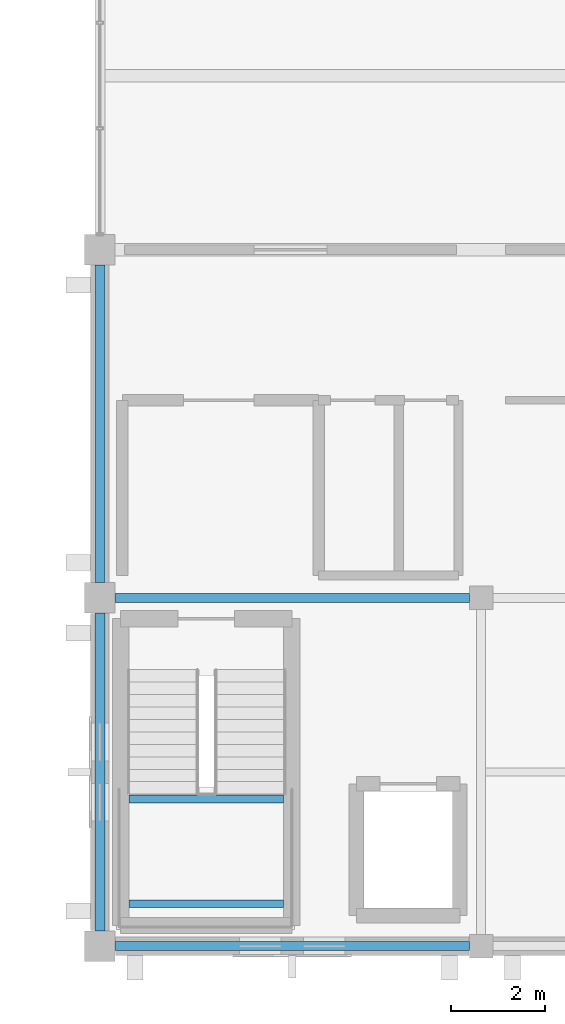
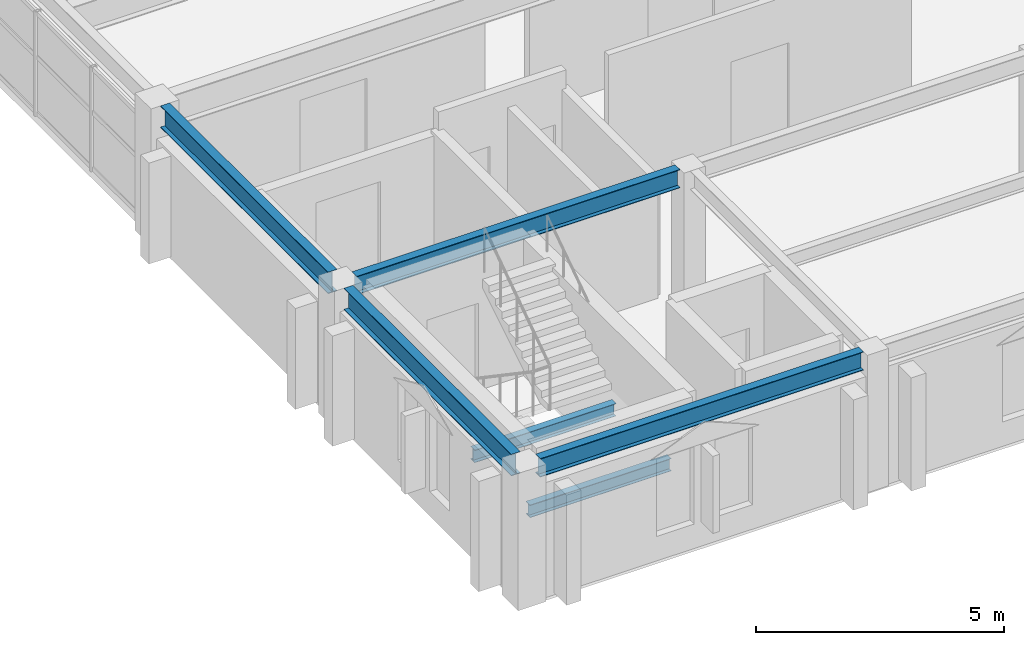
# One storey, part 28 of 93: 6 beams.
"""IFC4 building model written with IfcOpenShell, lengths in metres."""

from ifc_helpers import new_model, si_unit, direction, frame, origin, origin_2d, place, context, subcontext, project, spatial, i_section, extrude, material, material_profile, profile_set, type_object, element, save


model = new_model("IFC4")

# Units and contexts
model_context = context("Model", 3, precision=1e-05, world=origin(), true_north=direction((0.0, 1.0)))
body_context = subcontext(model_context, "Body", "Model", "MODEL_VIEW")
ifc_project = project(units=[si_unit("LENGTHUNIT", "METRE"), si_unit("AREAUNIT", "SQUARE_METRE"), si_unit("VOLUMEUNIT", "CUBIC_METRE"), si_unit("PLANEANGLEUNIT", "RADIAN"), si_unit("MASSUNIT", "GRAM", prefix="KILO")], contexts=[model_context])

# Site, building, storey
site_placement = place(None, origin())
site = spatial("IfcSite", under=ifc_project, at=site_placement, CompositionType="ELEMENT")
building_placement = place(site_placement, origin())
building = spatial("IfcBuilding", under=site, at=building_placement, Name="Cimatlan Art Gallery", CompositionType="ELEMENT")
storey_placement = place(building_placement, frame((0.0, 0.0, 13.800048828125)))
storey = spatial("IfcBuildingStorey", under=building, at=storey_placement, Name="L03", CompositionType="ELEMENT", Elevation=13.800048828125)

# Beams
ifc_material = material(Name="Steel ASTM A992 Grade 50", Category="steel")
ifc_material_profile_1 = material_profile(ifc_material, i_section(OverallWidth=0.1650390625, OverallDepth=0.31005859375, WebThickness=0.005859375, FlangeThickness=0.009765625, at=origin_2d()), Name="W12X26")
ifc_profile_set_1 = profile_set([ifc_material_profile_1], Name="Steel ASTM A992 Grade 50")
beam_type_1 = type_object("IfcBeamType", Name="BM-STL-W12X26", PredefinedType="JOIST", material=ifc_profile_set_1)
for number, where, z_axis, x_axis, name in (
    (1, (75.514892578125, 24.800048828125, 1.425048828125), (1.0, 0.0, 0.0), (0.0, 1.0, 0.0), "BM-STR-C3-L03-LH1"),
    (2, (75.514892578125, 27.030029296875, 1.425048828125), (1.0, 0.0, 0.0), (0.0, 1.0, 0.0), "BM-STR-C3-L03-LH2"),
):
    element("IfcBeam", number, at=place(storey_placement, frame(where, z_axis=z_axis, x_axis=x_axis)), inside=storey, type_object=beam_type_1, Name=name, PredefinedType="JOIST", context=body_context, shape_type="SweptSolid", body=[
        extrude(i_section(OverallWidth=0.1650390625, OverallDepth=0.31005859375, WebThickness=0.005859375, FlangeThickness=0.009765625, at=origin_2d()), origin(), (0.0, 0.0, 1.0), 3.2900390625),
    ])
ifc_material_profile_2 = material_profile(ifc_material, i_section(OverallWidth=0.19091796875, OverallDepth=0.45703125, WebThickness=0.009033203125, FlangeThickness=0.014404296875, at=origin_2d()), Name="W18X50")
ifc_profile_set_2 = profile_set([ifc_material_profile_2], Name="Steel ASTM A992 Grade 50")
beam_type_2 = type_object("IfcBeamType", Name="BM-STL-W18X50", PredefinedType="BEAM", material=ifc_profile_set_2)
for number, where, z_axis, x_axis, name in (
    (3, (75.22509765625, 23.89990234375, 3.1513671875), (1.0, 0.0, 0.0), (0.0, 1.0, 0.0), "BM-X-L03-09-03"),
    (4, (75.22509765625, 31.300048828125, 3.1513671875), (1.0, 0.0, 0.0), (0.0, 1.0, 0.0), "BM-X-L03-09-04"),
):
    element("IfcBeam", number, at=place(storey_placement, frame(where, z_axis=z_axis, x_axis=x_axis)), inside=storey, type_object=beam_type_2, Name=name, PredefinedType="BEAM", context=body_context, shape_type="SweptSolid", body=[
        extrude(i_section(OverallWidth=0.19091796875, OverallDepth=0.45703125, WebThickness=0.009033203125, FlangeThickness=0.014404296875, at=origin_2d()), origin(), (0.0, 0.0, 1.0), 7.52490234375),
    ])
ifc_material_profile_3 = material_profile(ifc_material, i_section(OverallWidth=0.2099609375, OverallDepth=0.532958984375, WebThickness=0.01025390625, FlangeThickness=0.015625, at=origin_2d()), Name="W21X62")
ifc_profile_set_3 = profile_set([ifc_material_profile_3], Name="Steel ASTM A992 Grade 50")
beam_type_3 = type_object("IfcBeamType", Name="BM-STL-W21X62", PredefinedType="BEAM", material=ifc_profile_set_3)
for number, where, z_axis, x_axis, name in (
    (5, (74.89990234375, 24.22509765625, 3.113525390625), (0.0, 1.0, 0.0), (-1.0, 0.0, 0.0), "BM-Y-L03-09-03"),
    (6, (74.89990234375, 31.625, 3.113525390625), (0.0, 1.0, 0.0), (-1.0, 0.0, 0.0), "BM-Y-L03-09-04"),
):
    element("IfcBeam", number, at=place(storey_placement, frame(where, z_axis=z_axis, x_axis=x_axis)), inside=storey, type_object=beam_type_3, Name=name, PredefinedType="BEAM", context=body_context, shape_type="SweptSolid", body=[
        extrude(i_section(OverallWidth=0.2099609375, OverallDepth=0.532958984375, WebThickness=0.01025390625, FlangeThickness=0.015625, at=origin_2d()), origin(), (0.0, 0.0, 1.0), 6.75),
    ])

save(model, "model.ifc")
